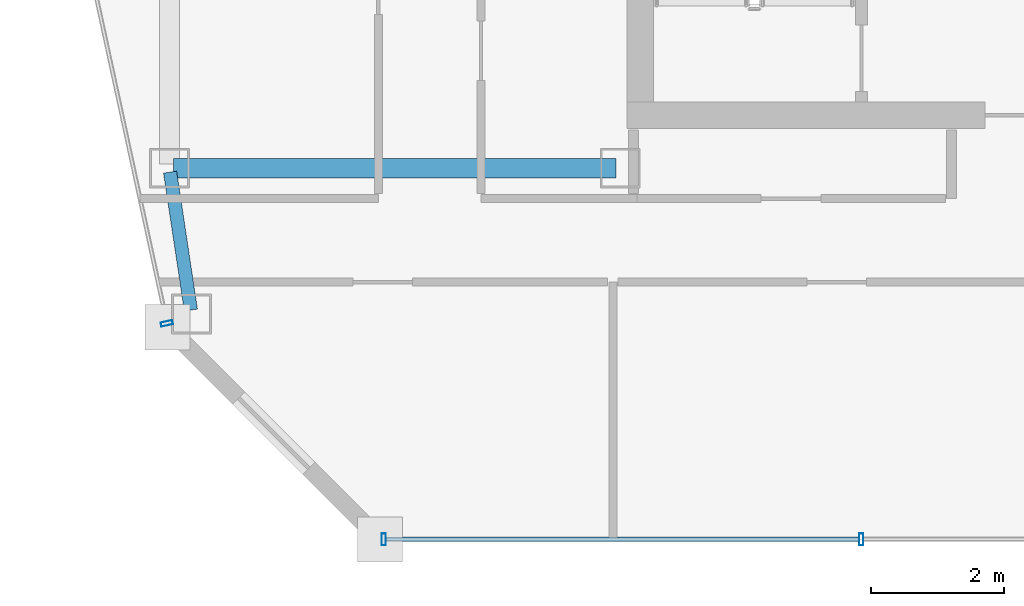
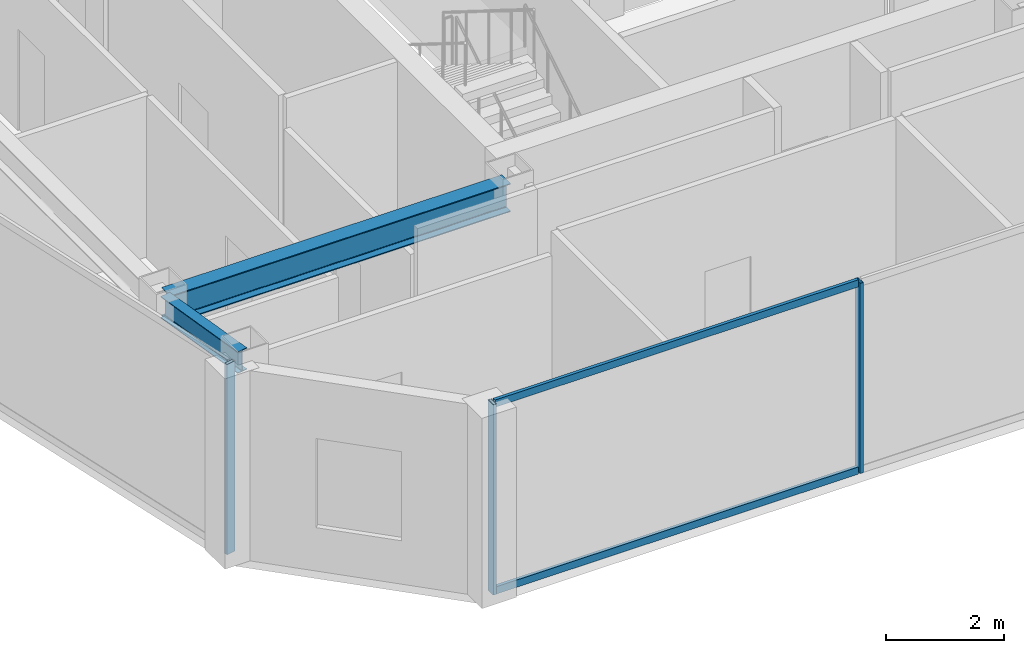
# One storey, part 2 of 20: 5 members, 2 beams, 2 elements without a shape of their own.
"""IFC4 building model written with IfcOpenShell, lengths in metres."""

from ifc_helpers import new_model, si_unit, direction, frame, origin, origin_2d, place, context, subcontext, project, spatial, hollow_rectangle, i_section, extrude, material, material_profile, profile_set, type_object, element, aggregate, save


model = new_model("IFC4")

# Units and contexts
model_context = context("Model", 3, precision=1e-05, world=origin(), true_north=direction((0.0, 1.0)))
body_context = subcontext(model_context, "Body", "Model", "MODEL_VIEW")
ifc_project = project(units=[si_unit("LENGTHUNIT", "METRE"), si_unit("AREAUNIT", "SQUARE_METRE"), si_unit("VOLUMEUNIT", "CUBIC_METRE"), si_unit("PLANEANGLEUNIT", "RADIAN"), si_unit("MASSUNIT", "GRAM", prefix="KILO")], contexts=[model_context])

# Site, building, storey
site_placement = place(None, origin())
site = spatial("IfcSite", under=ifc_project, at=site_placement, CompositionType="ELEMENT")
building_placement = place(site_placement, origin())
building = spatial("IfcBuilding", under=site, at=building_placement, Name="Saevonmaru Cultural Tower", CompositionType="ELEMENT")
storey_placement = place(building_placement, frame((0.0, 0.0, 319.199951171875)))
storey = spatial("IfcBuildingStorey", under=building, at=storey_placement, Name="L76", CompositionType="ELEMENT", Elevation=319.199951171875)

# Beams
ifc_material_1 = material(Name="Steel SM355", Category="steel")
ifc_material_profile_1 = material_profile(ifc_material_1, i_section(OverallWidth=0.300048828125, OverallDepth=0.587890625, WebThickness=0.011962890625, FlangeThickness=0.02001953125, FilletRadius=0.02392578125, at=origin_2d()), Name="H-588x300x12x20")
ifc_profile_set_1 = profile_set([ifc_material_profile_1], Name="Steel SM355")
beam_type_1 = type_object("IfcBeamType", Name="BM-G-H588", PredefinedType="BEAM", material=ifc_profile_set_1)
beam_1_placement = place(storey_placement, frame((6.860107421875, 42.39990234375, 3.656005859375), z_axis=(1.0, 0.0, 0.0), x_axis=(0.0, 1.0, 0.0)))
element("IfcBeam", 1, at=beam_1_placement, inside=storey, type_object=beam_type_1, Name="L76 Core South Girder 1", PredefinedType="BEAM", context=body_context, shape_type="SweptSolid", body=[
    extrude(i_section(OverallWidth=0.300048828125, OverallDepth=0.587890625, WebThickness=0.011962890625, FlangeThickness=0.02001953125, FilletRadius=0.02392578125, at=origin_2d()), origin(), (0.0, 0.0, 1.0), 6.679931640625),
])
ifc_material_profile_2 = material_profile(ifc_material_1, i_section(OverallWidth=0.199951171875, OverallDepth=0.449951171875, WebThickness=0.009033203125, FlangeThickness=0.013916015625, FilletRadius=0.01806640625, at=origin_2d()), Name="H-450x200x9x14")
ifc_profile_set_2 = profile_set([ifc_material_profile_2], Name="Steel SM355")
beam_type_2 = type_object("IfcBeamType", Name="BM-SP-H450", PredefinedType="SPANDREL", material=ifc_profile_set_2)
beam_2_placement = place(storey_placement, frame((7.123046875, 40.25927734375, 3.72509765625), z_axis=(-0.149145717006, 0.988815227987, 0.0), x_axis=(-0.988815227987, -0.149145717006, 0.0)))
element("IfcBeam", 2, at=beam_2_placement, inside=storey, type_object=beam_type_2, Name="L76 West Splayed Spandrel 1", PredefinedType="SPANDREL", context=body_context, shape_type="SweptSolid", body=[
    extrude(i_section(OverallWidth=0.199951171875, OverallDepth=0.449951171875, WebThickness=0.009033203125, FlangeThickness=0.013916015625, FilletRadius=0.01806640625, at=origin_2d()), origin(), (0.0, 0.0, 1.0), 2.10498046875),
])

# Curtain wall, members
ifc_material_2 = material(Name="Satin Bronze Anodised Aluminium", Category="aluminium")
curtain_wall_type = type_object("IfcCurtainWallType", Name="CW-SKY-GLZ", PredefinedType="NOTDEFINED", material=ifc_material_2)
curtain_wall_1_placement = place(storey_placement, origin())
curtain_wall_1 = element("IfcCurtainWall", 3, at=curtain_wall_1_placement, inside=storey, type_object=curtain_wall_type, Name="L76 Unitised Curtain Wall E2", PredefinedType="NOTDEFINED")
ifc_material_profile_3 = material_profile(ifc_material_2, hollow_rectangle(XDim=0.06494140625, YDim=0.179931640625, WallThickness=0.00390625, at=origin_2d()), Name="ALU-MULL-180x65x4")
ifc_profile_set_3 = profile_set([ifc_material_profile_3], Name="Satin Bronze Anodised Aluminium")
member_type_1 = type_object("IfcMemberType", Name="ML-CW-180x65", PredefinedType="MULLION", material=ifc_profile_set_3)
member_1_placement = place(storey_placement, frame((10.033203125, 36.800048828125, 0.0), z_axis=(0.0, 0.0, 1.0), x_axis=(1.0, 0.0, 0.0)))
member_1 = element("IfcMember", 4, at=member_1_placement, type_object=member_type_1, Name="CW-TW-L76-E2 mullion 1", PredefinedType="MULLION", context=body_context, shape_type="SweptSolid", body=[
    extrude(hollow_rectangle(XDim=0.06494140625, YDim=0.179931640625, WallThickness=0.00390625, at=origin_2d()), origin(), (0.0, 0.0, 1.0), 3.949951171875),
])
member_2_placement = place(storey_placement, frame((17.236572265625, 36.800048828125, 0.0), z_axis=(0.0, 0.0, 1.0), x_axis=(1.0, 0.0, 0.0)))
member_2 = element("IfcMember", 5, at=member_2_placement, type_object=member_type_1, Name="CW-TW-L76-E2 mullion 2", PredefinedType="MULLION", context=body_context, shape_type="SweptSolid", body=[
    extrude(hollow_rectangle(XDim=0.06494140625, YDim=0.179931640625, WallThickness=0.00390625, at=origin_2d()), origin(), (0.0, 0.0, 1.0), 3.949951171875),
])

# Curtain wall, member
curtain_wall_2_placement = place(storey_placement, origin())
curtain_wall_2 = element("IfcCurtainWall", 6, at=curtain_wall_2_placement, inside=storey, type_object=curtain_wall_type, Name="L76 Unitised Curtain Wall E12", PredefinedType="NOTDEFINED")
member_3_placement = place(storey_placement, frame((6.760498046875, 40.05859375, 0.0), z_axis=(0.0, 0.0, 1.0), x_axis=(0.211750401587, -0.977323778196, 0.0)))
member_3 = element("IfcMember", 7, at=member_3_placement, type_object=member_type_1, Name="CW-TW-L76-E12 mullion 2", PredefinedType="MULLION", context=body_context, shape_type="SweptSolid", body=[
    extrude(hollow_rectangle(XDim=0.06494140625, YDim=0.179931640625, WallThickness=0.00390625, at=origin_2d()), origin(), (0.0, 0.0, 1.0), 3.949951171875),
])
aggregate(curtain_wall_2, [member_3])

# Member
ifc_material_profile_4 = material_profile(ifc_material_2, hollow_rectangle(XDim=0.06494140625, YDim=0.14990234375, WallThickness=0.00390625, at=origin_2d()), Name="ALU-TRAN-150x65x4")
ifc_profile_set_4 = profile_set([ifc_material_profile_4], Name="Satin Bronze Anodised Aluminium")
member_type_2 = type_object("IfcMemberType", Name="TR-CW-150x65", PredefinedType="USERDEFINED", material=ifc_profile_set_4)
member_4_placement = place(storey_placement, frame((10.06591796875, 36.800048828125, 0.032470703125), z_axis=(1.0, 0.0, 0.0), x_axis=(0.0, 1.0, 0.0)))
member_4 = element("IfcMember", 8, at=member_4_placement, type_object=member_type_2, Name="CW-TW-L76-E2 transom 1.1", ObjectType="TRANSOM", PredefinedType="USERDEFINED", context=body_context, shape_type="SweptSolid", body=[
    extrude(hollow_rectangle(XDim=0.06494140625, YDim=0.14990234375, WallThickness=0.00390625, at=origin_2d()), origin(), (0.0, 0.0, 1.0), 7.13818359375),
])

member_5_placement = place(storey_placement, frame((10.06591796875, 36.800048828125, 3.91748046875), z_axis=(1.0, 0.0, 0.0), x_axis=(0.0, 1.0, 0.0)))
member_5 = element("IfcMember", 9, at=member_5_placement, type_object=member_type_2, Name="CW-TW-L76-E2 transom 1.2", ObjectType="TRANSOM", PredefinedType="USERDEFINED", context=body_context, shape_type="SweptSolid", body=[
    extrude(hollow_rectangle(XDim=0.06494140625, YDim=0.14990234375, WallThickness=0.00390625, at=origin_2d()), origin(), (0.0, 0.0, 1.0), 7.13818359375),
])

aggregate(curtain_wall_1, [member_1, member_2, member_4, member_5])

save(model, "model.ifc")
